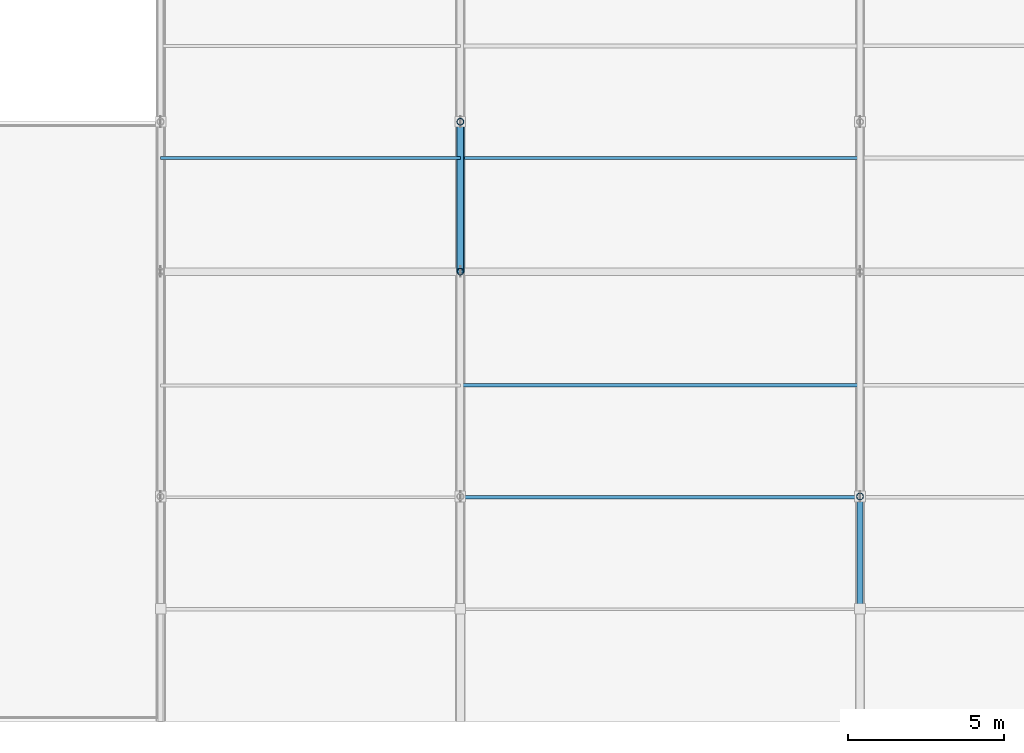
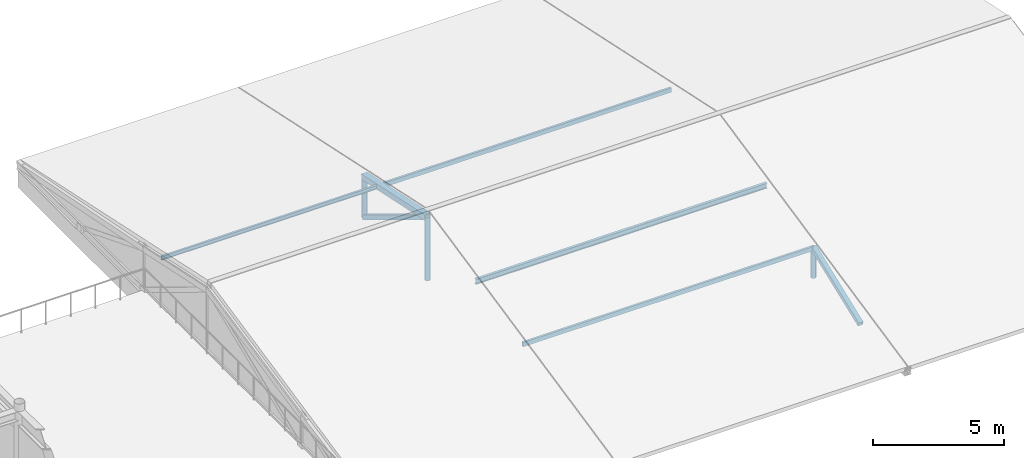
# One storey, part 35 of 61: 10 members.
"""IFC4 building model written with IfcOpenShell, lengths in metres."""

from ifc_helpers import new_model, si_unit, direction, frame, origin, origin_2d, place, context, subcontext, project, spatial, hollow_rectangle, hollow_circle, i_section, extrude, material, material_profile, profile_set, type_object, element, save


model = new_model("IFC4")

# Units and contexts
model_context = context("Model", 3, precision=1e-05, world=origin(), true_north=direction((0.0, 1.0)))
body_context = subcontext(model_context, "Body", "Model", "MODEL_VIEW")
ifc_project = project(units=[si_unit("LENGTHUNIT", "METRE"), si_unit("AREAUNIT", "SQUARE_METRE"), si_unit("VOLUMEUNIT", "CUBIC_METRE"), si_unit("PLANEANGLEUNIT", "RADIAN"), si_unit("MASSUNIT", "GRAM", prefix="KILO")], contexts=[model_context])

# Site, building, storey
site_placement = place(None, origin())
site = spatial("IfcSite", under=ifc_project, at=site_placement, CompositionType="ELEMENT")
building_placement = place(site_placement, origin())
building = spatial("IfcBuilding", under=site, at=building_placement, Name="Fikremerkos Civic Library", CompositionType="ELEMENT")
storey_placement = place(building_placement, frame((0.0, 0.0, 14.39990234375)))
storey = spatial("IfcBuildingStorey", under=building, at=storey_placement, Name="L03", CompositionType="ELEMENT", Elevation=14.39990234375)

# Members
ifc_material = material(Name="Steel S355", Category="steel")
ifc_material_profile_1 = material_profile(ifc_material, hollow_rectangle(XDim=0.199951171875, YDim=0.199951171875, WallThickness=0.010009765625, at=origin_2d()), Name="SHS 200x200x10")
ifc_profile_set_1 = profile_set([ifc_material_profile_1], Name="Steel S355")
member_type_1 = type_object("IfcMemberType", Name="Diagonal brace BRC-02 SHS 200x200x10", PredefinedType="BRACE", material=ifc_profile_set_1)
member_1_placement = place(storey_placement, frame((134.39990234375, 31.199951171875, 0.0), z_axis=(0.0, -0.854267348714, 0.519833912823), x_axis=(1.0, 0.0, 0.0)))
element("IfcMember", 1, at=member_1_placement, inside=storey, type_object=member_type_1, Name="Auditorium roof truss diagonal web BRC-02 X=134.4 #3", PredefinedType="BRACE", context=body_context, shape_type="SweptSolid", body=[
    extrude(hollow_rectangle(XDim=0.199951171875, YDim=0.199951171875, WallThickness=0.010009765625, at=origin_2d()), origin(), (0.0, 0.0, 1.0), 5.618896484375),
])
member_2_placement = place(storey_placement, frame((147.199951171875, 15.60009765625, 0.0), z_axis=(0.0, 0.93281795077, 0.360347985594), x_axis=(-1.0, 0.0, 0.0)))
element("IfcMember", 2, at=member_2_placement, inside=storey, type_object=member_type_1, Name="Auditorium roof truss diagonal web BRC-02 X=147.2 #1", PredefinedType="BRACE", context=body_context, shape_type="SweptSolid", body=[
    extrude(hollow_rectangle(XDim=0.199951171875, YDim=0.199951171875, WallThickness=0.010009765625, at=origin_2d()), origin(), (0.0, 0.0, 1.0), 3.859130859375),
])
ifc_material_profile_2 = material_profile(ifc_material, hollow_circle(Radius=0.109619140625, WallThickness=0.010009765625, at=origin_2d()), Name="CHS 219.1x10")
ifc_profile_set_2 = profile_set([ifc_material_profile_2], Name="Steel S355")
member_type_2 = type_object("IfcMemberType", Name="Frame post PST-03 CHS 219.1x10", PredefinedType="POST", material=ifc_profile_set_2)
member_3_placement = place(storey_placement, frame((134.39990234375, 26.39990234375, 0.0), z_axis=(0.0, 0.0, 1.0), x_axis=(1.0, 0.0, 0.0)))
element("IfcMember", 3, at=member_3_placement, inside=storey, type_object=member_type_2, Name="Auditorium roof truss vertical web PST-03 X=134.4 #2", PredefinedType="POST", context=body_context, shape_type="SweptSolid", body=[
    extrude(hollow_circle(Radius=0.109619140625, WallThickness=0.010009765625, at=origin_2d()), origin(), (0.0, 0.0, 1.0), 2.9208984375),
])
member_4_placement = place(storey_placement, frame((134.39990234375, 31.199951171875, 0.0), z_axis=(0.0, 0.0, 1.0), x_axis=(1.0, 0.0, 0.0)))
element("IfcMember", 4, at=member_4_placement, inside=storey, type_object=member_type_2, Name="Auditorium roof truss vertical web PST-03 X=134.4 #3", PredefinedType="POST", context=body_context, shape_type="SweptSolid", body=[
    extrude(hollow_circle(Radius=0.109619140625, WallThickness=0.010009765625, at=origin_2d()), origin(), (0.0, 0.0, 1.0), 1.900634765625),
])
member_5_placement = place(storey_placement, frame((147.199951171875, 19.199951171875, 0.0), z_axis=(0.0, 0.0, 1.0), x_axis=(1.0, 0.0, 0.0)))
element("IfcMember", 5, at=member_5_placement, inside=storey, type_object=member_type_2, Name="Auditorium roof truss vertical web PST-03 X=147.2 #1", PredefinedType="POST", context=body_context, shape_type="SweptSolid", body=[
    extrude(hollow_circle(Radius=0.109619140625, WallThickness=0.010009765625, at=origin_2d()), origin(), (0.0, 0.0, 1.0), 1.390625),
])
ifc_material_profile_3 = material_profile(ifc_material, i_section(OverallWidth=0.1201171875, OverallDepth=0.239990234375, WebThickness=0.006103515625, FlangeThickness=0.009765625, FilletRadius=0.014892578125, at=origin_2d()), Name="IPE 240")
ifc_profile_set_3 = profile_set([ifc_material_profile_3], Name="Steel S355")
member_type_3 = type_object("IfcMemberType", Name="Roof purlin PUR-01 IPE 240", PredefinedType="PURLIN", material=ifc_profile_set_3)
member_6_placement = place(storey_placement, frame((134.39990234375, 22.7587890625, 2.120849609375), z_axis=(1.0, 0.0, 0.0), x_axis=(0.0, 1.0, 0.0)))
element("IfcMember", 6, at=member_6_placement, inside=storey, type_object=member_type_3, Name="Roof purlin PUR-01 V3 bay 2.1.3", PredefinedType="PURLIN", context=body_context, shape_type="SweptSolid", body=[
    extrude(i_section(OverallWidth=0.1201171875, OverallDepth=0.239990234375, WebThickness=0.006103515625, FlangeThickness=0.009765625, FilletRadius=0.014892578125, at=origin_2d()), origin(), (0.0, 0.0, 1.0), 12.800048828125),
])
ifc_material_profile_4 = material_profile(ifc_material, i_section(OverallWidth=0.091064453125, OverallDepth=0.179931640625, WebThickness=0.00537109375, FlangeThickness=0.008056640625, FilletRadius=0.009033203125, at=origin_2d()), Name="IPE 180")
ifc_profile_set_4 = profile_set([ifc_material_profile_4], Name="Steel S355")
member_type_4 = type_object("IfcMemberType", Name="Roof purlin PUR-04 IPE 180", PredefinedType="PURLIN", material=ifc_profile_set_4)
member_7_placement = place(storey_placement, frame((124.800048828125, 30.041259765625, 2.15087890625), z_axis=(1.0, 0.0, 0.0), x_axis=(0.0, 1.0, 0.0)))
element("IfcMember", 7, at=member_7_placement, inside=storey, type_object=member_type_4, Name="Roof purlin PUR-04 V3 bay 1.2.1", PredefinedType="PURLIN", context=body_context, shape_type="SweptSolid", body=[
    extrude(i_section(OverallWidth=0.091064453125, OverallDepth=0.179931640625, WebThickness=0.00537109375, FlangeThickness=0.008056640625, FilletRadius=0.009033203125, at=origin_2d()), origin(), (0.0, 0.0, 1.0), 9.599853515625),
])
ifc_material_profile_5 = material_profile(ifc_material, hollow_rectangle(XDim=0.10009765625, YDim=0.199951171875, WallThickness=0.008056640625, at=origin_2d()), Name="RHS 200x100x8")
ifc_profile_set_5 = profile_set([ifc_material_profile_5], Name="Steel S355")
member_type_5 = type_object("IfcMemberType", Name="Roof purlin PUR-05 RHS 200x100x8", PredefinedType="PURLIN", material=ifc_profile_set_5)
for number, where, z_axis, x_axis, name in (
    (8, (134.39990234375, 19.172607421875, 1.37548828125), (1.0, 0.0, 0.0), (0.0, 1.0, 0.0), "Roof purlin PUR-05 V3 bay 2.1.2"),
    (9, (134.39990234375, 30.041259765625, 2.140869140625), (1.0, 0.0, 0.0), (0.0, 1.0, 0.0), "Roof purlin PUR-05 V3 bay 2.2.1"),
):
    element("IfcMember", number, at=place(storey_placement, frame(where, z_axis=z_axis, x_axis=x_axis)), inside=storey, type_object=member_type_5, Name=name, PredefinedType="PURLIN", context=body_context, shape_type="SweptSolid", body=[
        extrude(hollow_rectangle(XDim=0.10009765625, YDim=0.199951171875, WallThickness=0.008056640625, at=origin_2d()), origin(), (0.0, 0.0, 1.0), 12.800048828125),
    ])
ifc_material_profile_6 = material_profile(ifc_material, hollow_rectangle(XDim=0.260009765625, YDim=0.260009765625, WallThickness=0.01416015625, at=origin_2d()), Name="SHS 260x260x14.2")
ifc_profile_set_6 = profile_set([ifc_material_profile_6], Name="Steel S355")
member_type_6 = type_object("IfcMemberType", Name="Truss chord CHD-03 SHS 260x260x14.2", PredefinedType="CHORD", material=ifc_profile_set_6)
member_8_placement = place(storey_placement, frame((134.39990234375, 26.39990234375, 2.9208984375), z_axis=(0.0, 0.978148355094, -0.2079081418), x_axis=(-1.0, 0.0, 0.0)))
element("IfcMember", 10, at=member_8_placement, inside=storey, type_object=member_type_6, Name="Auditorium roof truss top chord CHD-03 X=134.4 #3", PredefinedType="CHORD", context=body_context, shape_type="SweptSolid", body=[
    extrude(hollow_rectangle(XDim=0.260009765625, YDim=0.260009765625, WallThickness=0.01416015625, at=origin_2d()), origin(), (0.0, 0.0, 1.0), 4.9072265625),
])

save(model, "model.ifc")
